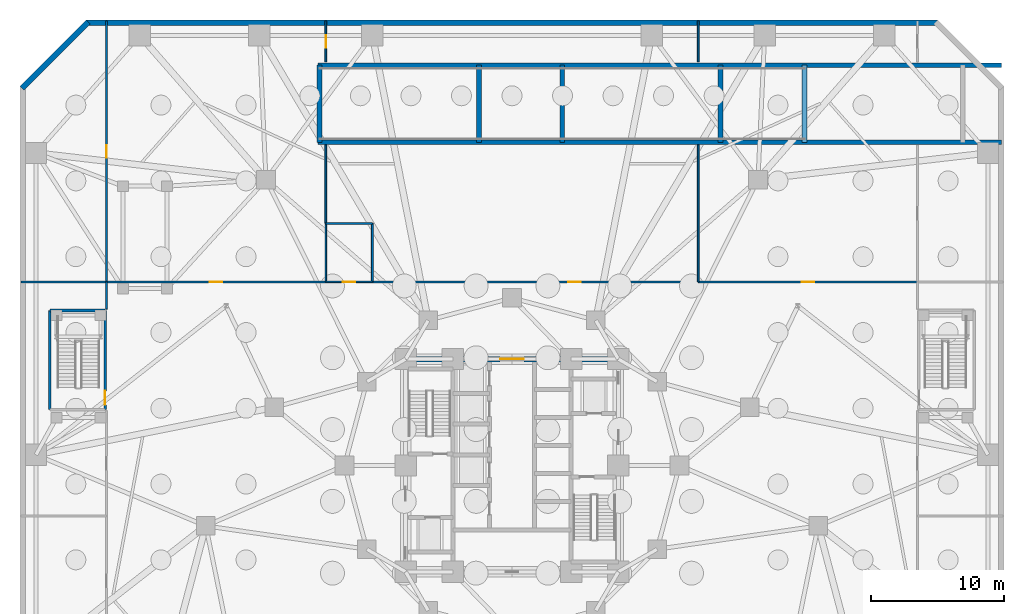
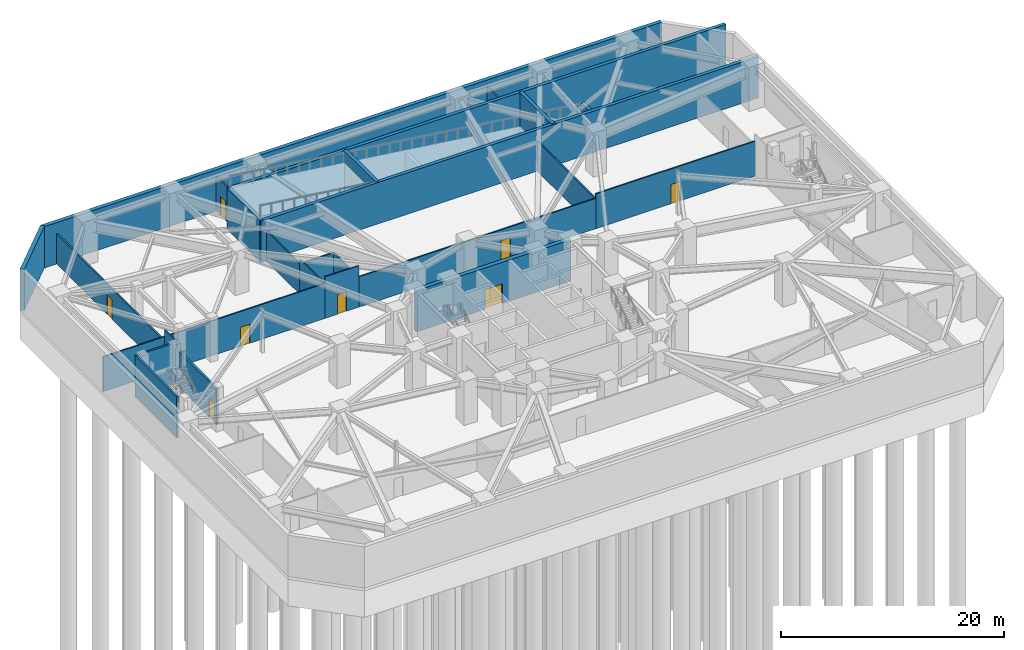
# One storey, part 14 of 20: 27 walls, 8 doors, 8 openings.
"""IFC4 building model written with IfcOpenShell, lengths in metres."""

import ifcopenshell
import ifcopenshell.guid

model = None  # the IFC model being written
_history = None  # IfcOwnerHistory: only IFC2X3 demands one
_inside = {}  # id of a spatial element -> (the spatial element, [elements in it])
_under = {}  # id of a project, library or spatial element -> (it, [spatial elements below it])
_declared = {}  # id of a project -> (the project, [libraries it declares])
_typed = {}  # id of a type object -> (the type object, [elements of that type])
_made_of = {}  # id of a material, layer set ... -> (it, [elements and type objects made of it])


def new_model(schema):
    """Start an empty IFC model of exactly this schema.

    Asked for "IFC4X3", IfcOpenShell would pick the latest addendum, in which some entities
    have other attributes; the version numbers below select the first issue.
    IFC2X3 requires an IfcOwnerHistory on every rooted entity: one is made here for all.
    """
    global model, _history
    if schema == "IFC4X3":
        model = ifcopenshell.file(schema_version=(4, 3, 0, 0))
    else:
        model = ifcopenshell.file(schema=schema)
    _inside.clear()
    _under.clear()
    _declared.clear()
    _typed.clear()
    _made_of.clear()
    _history = None
    if model.schema == "IFC2X3":
        org = make("IfcOrganization", Name="unknown")
        user = make(
            "IfcPersonAndOrganization",
            ThePerson=make("IfcPerson", FamilyName="unknown"),
            TheOrganization=org,
        )
        app = make(
            "IfcApplication",
            ApplicationDeveloper=org,
            Version="unknown",
            ApplicationFullName="unknown",
            ApplicationIdentifier="unknown",
        )
        _history = make(
            "IfcOwnerHistory",
            OwningUser=user,
            OwningApplication=app,
            ChangeAction="ADDED",
            CreationDate=0,
        )
    return model


def make(cls, **values):
    """One entity of the class cls with the attributes given. An attribute that is None is left unset."""
    return model.create_entity(
        cls, **{name: value for name, value in values.items() if value is not None}
    )


def rooted(cls, **values):
    """An entity with a GlobalId (a new one), such as an element, a storey or a relation."""
    return make(cls, GlobalId=ifcopenshell.guid.new(), OwnerHistory=_history, **values)


def si_unit(unit_type, name, prefix=None):
    """IfcSIUnit, for example si_unit("LENGTHUNIT", "METRE", prefix="MILLI")."""
    return make("IfcSIUnit", UnitType=unit_type, Prefix=prefix, Name=name)


def assignment(units):
    """IfcUnitAssignment: the units of a project."""
    return None if units is None else make("IfcUnitAssignment", Units=units)


def point(xyz):
    """IfcCartesianPoint."""
    return None if xyz is None else make("IfcCartesianPoint", Coordinates=xyz)


def direction(xyz):
    """IfcDirection."""
    return None if xyz is None else make("IfcDirection", DirectionRatios=xyz)


def frame(location, z_axis=None, x_axis=None):
    """IfcAxis2Placement3D, a coordinate frame: its origin and axes. An axis left out is left unset."""
    return make(
        "IfcAxis2Placement3D",
        Location=point(location),
        Axis=direction(z_axis),
        RefDirection=direction(x_axis),
    )


def frame_2d(location, x_axis=None):
    """IfcAxis2Placement2D, a coordinate frame in the plane: its origin and x axis."""
    return make(
        "IfcAxis2Placement2D", Location=point(location), RefDirection=direction(x_axis)
    )


def origin():
    """The frame at (0, 0, 0) with its axes left unset."""
    return frame((0.0, 0.0, 0.0))


def place(relative_to, where):
    """IfcLocalPlacement: puts the frame where relative to a parent placement (None: the world)."""
    return make(
        "IfcLocalPlacement", PlacementRelTo=relative_to, RelativePlacement=where
    )


def context(
    kind, dimensions, precision=None, world=None, true_north=None, identifier=None
):
    """IfcGeometricRepresentationContext, for example the 3D "Model" context."""
    return make(
        "IfcGeometricRepresentationContext",
        ContextIdentifier=identifier,
        ContextType=kind,
        CoordinateSpaceDimension=dimensions,
        Precision=precision,
        WorldCoordinateSystem=world,
        TrueNorth=true_north,
    )


def subcontext(parent, identifier, kind, view, scale=None):
    """IfcGeometricRepresentationSubContext, for example "Body" below "Model"."""
    return make(
        "IfcGeometricRepresentationSubContext",
        ContextIdentifier=identifier,
        ContextType=kind,
        ParentContext=parent,
        TargetScale=scale,
        TargetView=view,
    )


def project(units=None, contexts=None):
    """IfcProject with its units and contexts."""
    return rooted(
        "IfcProject",
        Name="project",
        RepresentationContexts=contexts,
        UnitsInContext=assignment(units),
    )


def spatial(cls, under=None, at=None, **own):
    """A site, building, storey or space (cls), placed at a placement, below another one or the project."""
    s = rooted(cls, ObjectPlacement=at, **own)
    if under is not None:
        _under.setdefault(under.id(), (under, []))[1].append(s)
    return s


def profile(cls, at=None, kind="AREA", **sizes):
    """A parametric profile (cls). Its sizes go by their IFC names, for example OverallWidth=200.0."""
    return make(cls, ProfileType=kind, Position=at, **sizes)


def rectangle(**sizes):
    """IfcRectangleProfileDef."""
    return profile("IfcRectangleProfileDef", **sizes)


def extrude(swept, where, along, depth):
    """IfcExtrudedAreaSolid: the profile swept, set in the frame where, extruded along a direction by depth."""
    return make(
        "IfcExtrudedAreaSolid",
        SweptArea=swept,
        Position=where,
        ExtrudedDirection=direction(along),
        Depth=depth,
    )


def shape(context_of_items, identifier, shape_type, items):
    """IfcShapeRepresentation: the items that make up one representation, for example the "Body"."""
    return make(
        "IfcShapeRepresentation",
        ContextOfItems=context_of_items,
        RepresentationIdentifier=identifier,
        RepresentationType=shape_type,
        Items=items,
    )


def material(Name=None, Category=None):
    """IfcMaterial."""
    return make("IfcMaterial", Name=Name, Category=Category)


def layer(
    of_material, thickness, ventilated=None, Name=None, Category=None, Priority=None
):
    """IfcMaterialLayer: one layer of a wall or slab, of a material (None: an air gap)."""
    return make(
        "IfcMaterialLayer",
        Material=of_material,
        LayerThickness=thickness,
        IsVentilated=ventilated,
        Name=Name,
        Category=Category,
        Priority=Priority,
    )


def layer_set(layers, Name=None):
    """IfcMaterialLayerSet."""
    return make("IfcMaterialLayerSet", MaterialLayers=layers, LayerSetName=Name)


def made_of(thing, what):
    """Note that an element or type object is made of a material, layer set ...; save() writes the relation."""
    if what is not None:
        _made_of.setdefault(what.id(), (what, []))[1].append(thing)
    return thing


def type_object(cls, material=None, **own):
    """A type object (cls), such as IfcWallType, which elements share."""
    return made_of(rooted(cls, **own), material)


def element(
    cls,
    number,
    at=None,
    inside=None,
    cuts=None,
    type_object=None,
    material=None,
    context=None,
    identifier="Body",
    shape_type=None,
    held_by="IfcProductDefinitionShape",
    body=None,
    shapes=None,
    **own,
):
    """One element of the class cls, such as IfcWall. Its Tag is "e" and its number.

    at: its placement. inside: the storey or other place that contains it. cuts: it is an
    opening in that element (IfcRelVoidsElement). A single representation is given by context,
    identifier, shape_type and body (its items); several are given by shapes. held_by: the class
    of the entity that holds the representations. save() writes the other relations.
    """
    e = rooted(cls, Tag="e%d" % number, ObjectPlacement=at, **own)
    if body is not None:
        shapes = [shape(context, identifier, shape_type, body)]
    if shapes is not None:
        e.Representation = make(held_by, Representations=shapes)
    if inside is not None:
        _inside.setdefault(inside.id(), (inside, []))[1].append(e)
    if cuts is not None:
        rooted(
            "IfcRelVoidsElement", RelatingBuildingElement=cuts, RelatedOpeningElement=e
        )
    if type_object is not None:
        _typed.setdefault(type_object.id(), (type_object, []))[1].append(e)
    return made_of(e, material)


def fill(opening, filler):
    """IfcRelFillsElement: the door or window that sits in an opening."""
    return rooted(
        "IfcRelFillsElement",
        RelatingOpeningElement=opening,
        RelatedBuildingElement=filler,
    )


def aggregate(whole, parts):
    """IfcRelAggregates: a whole, such as a stair, and the parts it consists of."""
    return rooted("IfcRelAggregates", RelatingObject=whole, RelatedObjects=parts)


def save(model, path):
    """Write the relations noted so far, then the file.

    IfcRelAggregates (storeys below a building ...), IfcRelContainedInSpatialStructure (elements
    in a storey), IfcRelDefinesByType, IfcRelAssociatesMaterial and IfcRelDeclares: one each for
    every whole, place, type object, material and project.
    """
    for whole, parts in _under.values():
        aggregate(whole, parts)
    for where, things in _inside.values():
        rooted(
            "IfcRelContainedInSpatialStructure",
            RelatedElements=things,
            RelatingStructure=where,
        )
    for kind, things in _typed.values():
        rooted("IfcRelDefinesByType", RelatedObjects=things, RelatingType=kind)
    for what, things in _made_of.values():
        rooted("IfcRelAssociatesMaterial", RelatedObjects=things, RelatingMaterial=what)
    for by, libraries in _declared.values():
        rooted("IfcRelDeclares", RelatingContext=by, RelatedDefinitions=libraries)
    model.write(path)


model = new_model("IFC4")

# Units and contexts
model_context = context("Model", 3, precision=1e-05, world=origin(), true_north=direction((0.0, 1.0)))
body_context = subcontext(model_context, "Body", "Model", "MODEL_VIEW")
ifc_project = project(units=[si_unit("LENGTHUNIT", "METRE"), si_unit("AREAUNIT", "SQUARE_METRE"), si_unit("VOLUMEUNIT", "CUBIC_METRE"), si_unit("PLANEANGLEUNIT", "RADIAN"), si_unit("MASSUNIT", "GRAM", prefix="KILO")], contexts=[model_context])

# Site, building, storey
site_placement = place(None, origin())
site = spatial("IfcSite", under=ifc_project, at=site_placement, CompositionType="ELEMENT")
building_placement = place(site_placement, origin())
building = spatial("IfcBuilding", under=site, at=building_placement, Name="Terralouvre Media Tower", CompositionType="ELEMENT")
storey_placement = place(building_placement, frame((0.0, 0.0, -9.60009765625)))
storey = spatial("IfcBuildingStorey", under=building, at=storey_placement, Name="B02", CompositionType="ELEMENT", Elevation=-9.60009765625)

# Walls
ifc_material_1 = material(Name="Concrete C50/60", Category="concrete")
ifc_layer_1 = layer(ifc_material_1, 0.39990234375, Name="Basement Perimeter Retaining Wall EW-RC400")
ifc_layer_set_1 = layer_set([ifc_layer_1], Name="Concrete C50/60")
wall_type_1 = type_object("IfcWallType", Name="Basement Perimeter Retaining Wall EW-RC400", PredefinedType="USERDEFINED", material=ifc_layer_set_1)
wall_1_placement = place(storey_placement, frame((32.0, 33.300048828125, 0.0), z_axis=(0.0, 0.0, 1.0), x_axis=(-1.0, 0.0, 0.0)))
element("IfcWall", 1, at=wall_1_placement, inside=storey, type_object=wall_type_1, Name="B02 Perimeter Retaining Wall 05", ObjectType="RETAINING", PredefinedType="USERDEFINED", context=body_context, shape_type="SweptSolid", body=[
    extrude(rectangle(XDim=64.0, YDim=0.39990234375, at=frame_2d((32.0, 0.0))), origin(), (0.0, 0.0, 1.0), 4.52001953125),
])
wall_2_placement = place(storey_placement, frame((-31.858642578125, 33.358642578125, 0.0), z_axis=(0.0, 0.0, 1.0), x_axis=(-0.707106781187, -0.707106781187, 0.0)))
element("IfcWall", 2, at=wall_2_placement, inside=storey, type_object=wall_type_1, Name="B02 Perimeter Retaining Wall 06", ObjectType="RETAINING", PredefinedType="USERDEFINED", context=body_context, shape_type="SweptSolid", body=[
    extrude(rectangle(XDim=7.071044921875, YDim=0.39990234375, at=frame_2d((3.53564453125, 0.0))), origin(), (0.0, 0.0, 1.0), 4.52001953125),
])

# Wall, opening, door
ifc_material_2 = material(Name="Concrete C60/75", Category="concrete")
ifc_layer_2 = layer(ifc_material_2, 0.419921875, Name="Core Reinforced Concrete Shear Wall CW-420")
ifc_layer_set_2 = layer_set([ifc_layer_2], Name="Concrete C60/75")
wall_type_2 = type_object("IfcWallType", Name="Core Reinforced Concrete Shear Wall CW-420", PredefinedType="SHEAR", material=ifc_layer_set_2)
wall_3_placement = place(storey_placement, frame((-8.0, 8.0, 0.0), z_axis=(0.0, 0.0, 1.0), x_axis=(1.0, 0.0, 0.0)))
wall_3 = element("IfcWall", 3, at=wall_3_placement, inside=storey, type_object=wall_type_2, Name="B02 N Core Shear Wall", PredefinedType="SHEAR", context=body_context, shape_type="SweptSolid", body=[
    extrude(rectangle(XDim=16.0, YDim=0.419921875, at=frame_2d((8.0, 0.0))), origin(), (0.0, 0.0, 1.0), 4.52001953125),
])
opening_1_placement = place(wall_3_placement, frame((7.10009765625, 0.0, 0.0)))
opening_1 = element("IfcOpeningElement", 4, at=opening_1_placement, cuts=wall_3, Name="Opening FD-03", PredefinedType="OPENING", context=body_context, shape_type="SweptSolid", body=[
    extrude(rectangle(XDim=1.800048828125, YDim=2.14990234375, at=frame_2d((0.89990234375, 1.074951171875))), frame((0.0, 0.219970703125, 0.0), z_axis=(0.0, -1.0, 0.0), x_axis=(1.0, 0.0, 0.0)), (0.0, 0.0, 1.0), 0.43994140625),
])
ifc_material_3 = material(Name="Galvanised steel fire-resisting leaf", Category="steel")
door_type_1 = type_object("IfcDoorType", Name="Corridor Smoke-Control Double Door FD-03", OperationType="DOUBLE_DOOR_SINGLE_SWING", PredefinedType="DOOR", material=ifc_material_3)
door_1_placement = place(opening_1_placement, origin())
door_1 = element("IfcDoor", 5, at=door_1_placement, inside=storey, type_object=door_type_1, Name="B02 Central Lift Lobby Portal Door", OperationType="DOUBLE_DOOR_SINGLE_SWING", OverallHeight=2.14990234375, OverallWidth=1.800048828125, PredefinedType="DOOR", context=body_context, shape_type="SweptSolid", body=[
    extrude(rectangle(XDim=1.800048828125, YDim=2.14990234375, at=frame_2d((0.89990234375, 1.074951171875))), frame((0.0, 0.02490234375, 0.0), z_axis=(0.0, -1.0, 0.0), x_axis=(1.0, 0.0, 0.0)), (0.0, 0.0, 1.0), 0.050048828125),
])
fill(opening_1, door_1)

ifc_material_4 = material(Name="Fire-rated gypsum board drywall partition")
ifc_layer_3 = layer(ifc_material_4, 0.199951171875, Name="Fire-Rated Shaft and Lobby Partition FW-200")
ifc_layer_set_3 = layer_set([ifc_layer_3], Name="Fire-rated gypsum board drywall partition")
wall_type_3 = type_object("IfcWallType", Name="Fire-Rated Shaft and Lobby Partition FW-200", PredefinedType="SOLIDWALL", material=ifc_layer_set_3)
wall_4_placement = place(storey_placement, frame((-30.60009765625, 4.199951171875, 0.0), z_axis=(0.0, 0.0, 1.0), x_axis=(0.0, 1.0, 0.0)))
wall_4 = element("IfcWall", 6, at=wall_4_placement, inside=storey, type_object=wall_type_3, Name="B02 ST03 Stair Shaft Wall E", PredefinedType="SOLIDWALL", context=body_context, shape_type="SweptSolid", body=[
    extrude(rectangle(XDim=7.449951171875, YDim=0.199951171875, at=frame_2d((3.72509765625, 0.0))), origin(), (0.0, 0.0, 1.0), 3.905029296875),
])
opening_2_placement = place(wall_4_placement, frame((0.360107421875, 0.0, 0.0)))
opening_2 = element("IfcOpeningElement", 7, at=opening_2_placement, cuts=wall_4, Name="Opening FD-01-105X215", PredefinedType="OPENING", context=body_context, shape_type="SweptSolid", body=[
    extrude(rectangle(XDim=1.050048828125, YDim=2.14990234375, at=frame_2d((0.52490234375, 1.074951171875))), frame((0.0, 0.10986328125, 0.0), z_axis=(0.0, -1.0, 0.0), x_axis=(1.0, 0.0, 0.0)), (0.0, 0.0, 1.0), 0.219970703125),
])
ifc_material_5 = material(Name="Galvanised steel fire-resisting leaf", Category="steel")
door_type_2 = type_object("IfcDoorType", Name="Stair and Firefighting Lobby Fire Door FD-01 (1050x2150)", OperationType="NOTDEFINED", PredefinedType="DOOR", material=ifc_material_5)
door_2_placement = place(opening_2_placement, origin())
door_2 = element("IfcDoor", 8, at=door_2_placement, inside=storey, type_object=door_type_2, Name="B02 ST03 Pressurised Stair Door", OperationType="SINGLE_SWING_RIGHT", OverallHeight=2.14990234375, OverallWidth=1.050048828125, PredefinedType="DOOR", context=body_context, shape_type="SweptSolid", body=[
    extrude(rectangle(XDim=1.050048828125, YDim=2.14990234375, at=frame_2d((0.52490234375, 1.074951171875))), frame((0.0, 0.02490234375, 0.0), z_axis=(0.0, -1.0, 0.0), x_axis=(1.0, 0.0, 0.0)), (0.0, 0.0, 1.0), 0.050048828125),
])
fill(opening_2, door_2)

# Walls
wall_5_placement = place(storey_placement, frame((-30.60009765625, 11.64990234375, 0.0), z_axis=(0.0, 0.0, 1.0), x_axis=(-1.0, 0.0, 0.0)))
element("IfcWall", 9, at=wall_5_placement, inside=storey, type_object=wall_type_3, Name="B02 ST03 Stair Shaft Wall N", PredefinedType="SOLIDWALL", context=body_context, shape_type="SweptSolid", body=[
    extrude(rectangle(XDim=4.14990234375, YDim=0.199951171875, at=frame_2d((2.074951171875, 0.0))), origin(), (0.0, 0.0, 1.0), 4.52001953125),
])
wall_6_placement = place(storey_placement, frame((-34.75, 11.64990234375, 0.0), z_axis=(0.0, 0.0, 1.0), x_axis=(0.0, -1.0, 0.0)))
element("IfcWall", 10, at=wall_6_placement, inside=storey, type_object=wall_type_3, Name="B02 ST03 Stair Shaft Wall W", PredefinedType="SOLIDWALL", context=body_context, shape_type="SweptSolid", body=[
    extrude(rectangle(XDim=7.449951171875, YDim=0.199951171875, at=frame_2d((3.72509765625, 0.0))), origin(), (0.0, 0.0, 1.0), 4.52001953125),
])

# Wall, opening, door
ifc_material_6 = material(Name="Fire-rated gypsum board drywall partition")
ifc_layer_4 = layer(ifc_material_6, 0.135009765625, Name="Newsroom Acoustic Partition PT-135")
ifc_layer_set_4 = layer_set([ifc_layer_4], Name="Fire-rated gypsum board drywall partition")
wall_type_4 = type_object("IfcWallType", Name="Newsroom Acoustic Partition PT-135", PredefinedType="PARTITIONING", material=ifc_layer_set_4)
wall_7_placement = place(storey_placement, frame((30.5, 13.800048828125, 0.0), z_axis=(0.0, 0.0, 1.0), x_axis=(-1.0, 0.0, 0.0)))
wall_7 = element("IfcWall", 11, at=wall_7_placement, inside=storey, type_object=wall_type_4, Name="B02 Interior Partition 008", PredefinedType="PARTITIONING", context=body_context, shape_type="SweptSolid", body=[
    extrude(rectangle(XDim=16.5, YDim=0.135009765625, at=frame_2d((8.25, 0.0))), origin(), (0.0, 0.0, 1.0), 3.80517578125),
])
opening_3_placement = place(wall_7_placement, frame((7.77490234375, 0.0, 0.0)))
opening_3 = element("IfcOpeningElement", 12, at=opening_3_placement, cuts=wall_7, Name="Opening ID-02-95X210", PredefinedType="OPENING", context=body_context, shape_type="SweptSolid", body=[
    extrude(rectangle(XDim=0.949951171875, YDim=2.10009765625, at=frame_2d((0.47509765625, 1.050048828125))), frame((0.0, 0.077392578125, 0.0), z_axis=(0.0, -1.0, 0.0), x_axis=(1.0, 0.0, 0.0)), (0.0, 0.0, 1.0), 0.155029296875),
])
ifc_material_7 = material(Name="Engineered hardwood acoustic timber leaf", Category="wood")
door_type_3 = type_object("IfcDoorType", Name="Office and Meeting Room Door ID-02 (950x2100)", OperationType="NOTDEFINED", PredefinedType="DOOR", material=ifc_material_7)
door_3_placement = place(opening_3_placement, origin())
door_3 = element("IfcDoor", 13, at=door_3_placement, inside=storey, type_object=door_type_3, Name="B02 B02 Segregated Refuse and Recycling Store Door", OperationType="SINGLE_SWING_RIGHT", OverallHeight=2.10009765625, OverallWidth=0.949951171875, PredefinedType="DOOR", context=body_context, shape_type="SweptSolid", body=[
    extrude(rectangle(XDim=0.949951171875, YDim=2.10009765625, at=frame_2d((0.47509765625, 1.050048828125))), frame((0.0, 0.02490234375, 0.0), z_axis=(0.0, -1.0, 0.0), x_axis=(1.0, 0.0, 0.0)), (0.0, 0.0, 1.0), 0.050048828125),
])
fill(opening_3, door_3)

wall_8_placement = place(storey_placement, frame((14.0, 13.800048828125, 0.0), z_axis=(0.0, 0.0, 1.0), x_axis=(-1.0, 0.0, 0.0)))
wall_8 = element("IfcWall", 14, at=wall_8_placement, inside=storey, type_object=wall_type_4, Name="B02 Interior Partition 009", PredefinedType="PARTITIONING", context=body_context, shape_type="SweptSolid", body=[
    extrude(rectangle(XDim=24.5, YDim=0.135009765625, at=frame_2d((12.25, 0.0))), origin(), (0.0, 0.0, 1.0), 3.30517578125),
])
opening_4_placement = place(wall_8_placement, frame((8.8349609375, 0.0, 0.0)))
opening_4 = element("IfcOpeningElement", 15, at=opening_4_placement, cuts=wall_8, Name="Opening ID-02-95X210", PredefinedType="OPENING", context=body_context, shape_type="SweptSolid", body=[
    extrude(rectangle(XDim=0.949951171875, YDim=2.10009765625, at=frame_2d((0.47509765625, 1.050048828125))), frame((0.0, 0.077392578125, 0.0), z_axis=(0.0, -1.0, 0.0), x_axis=(1.0, 0.0, 0.0)), (0.0, 0.0, 1.0), 0.155029296875),
])
door_4_placement = place(opening_4_placement, origin())
door_4 = element("IfcDoor", 16, at=door_4_placement, inside=storey, type_object=door_type_3, Name="B02 B02 Basement Technical Equipment Store 12 Door", OperationType="SINGLE_SWING_LEFT", OverallHeight=2.10009765625, OverallWidth=0.949951171875, PredefinedType="DOOR", context=body_context, shape_type="SweptSolid", body=[
    extrude(rectangle(XDim=0.949951171875, YDim=2.10009765625, at=frame_2d((0.47509765625, 1.050048828125))), frame((0.0, 0.02490234375, 0.0), z_axis=(0.0, -1.0, 0.0), x_axis=(1.0, 0.0, 0.0)), (0.0, 0.0, 1.0), 0.050048828125),
])
fill(opening_4, door_4)

wall_9_placement = place(storey_placement, frame((-14.0, 13.800048828125, 0.0), z_axis=(0.0, 0.0, 1.0), x_axis=(-1.0, 0.0, 0.0)))
wall_9 = element("IfcWall", 17, at=wall_9_placement, inside=storey, type_object=wall_type_4, Name="B02 Interior Partition 011", PredefinedType="PARTITIONING", context=body_context, shape_type="SweptSolid", body=[
    extrude(rectangle(XDim=16.5, YDim=0.135009765625, at=frame_2d((8.25, 0.0))), origin(), (0.0, 0.0, 1.0), 3.80517578125),
])
opening_5_placement = place(wall_9_placement, frame((7.77490234375, 0.0, 0.0)))
opening_5 = element("IfcOpeningElement", 18, at=opening_5_placement, cuts=wall_9, Name="Opening ID-02-95X210", PredefinedType="OPENING", context=body_context, shape_type="SweptSolid", body=[
    extrude(rectangle(XDim=0.949951171875, YDim=2.10009765625, at=frame_2d((0.47509765625, 1.050048828125))), frame((0.0, 0.077392578125, 0.0), z_axis=(0.0, -1.0, 0.0), x_axis=(1.0, 0.0, 0.0)), (0.0, 0.0, 1.0), 0.155029296875),
])
door_5_placement = place(opening_5_placement, origin())
door_5 = element("IfcDoor", 19, at=door_5_placement, inside=storey, type_object=door_type_3, Name="B02 B02 Staff Secure Bicycle Parking Store Door", OperationType="SINGLE_SWING_LEFT", OverallHeight=2.10009765625, OverallWidth=0.949951171875, PredefinedType="DOOR", context=body_context, shape_type="SweptSolid", body=[
    extrude(rectangle(XDim=0.949951171875, YDim=2.10009765625, at=frame_2d((0.47509765625, 1.050048828125))), frame((0.0, 0.02490234375, 0.0), z_axis=(0.0, -1.0, 0.0), x_axis=(1.0, 0.0, 0.0)), (0.0, 0.0, 1.0), 0.050048828125),
])
fill(opening_5, door_5)

# Walls
wall_10_placement = place(storey_placement, frame((-30.5, 13.800048828125, 0.0), z_axis=(0.0, 0.0, 1.0), x_axis=(0.0, -1.0, 0.0)))
element("IfcWall", 20, at=wall_10_placement, inside=storey, type_object=wall_type_4, Name="B02 Interior Partition 013", PredefinedType="PARTITIONING", context=body_context, shape_type="SweptSolid", body=[
    extrude(rectangle(XDim=2.050048828125, YDim=0.135009765625, at=frame_2d((1.02490234375, 0.0))), origin(), (0.0, 0.0, 1.0), 4.52001953125),
])
wall_11_placement = place(storey_placement, frame((14.0, 24.10009765625, 0.0), z_axis=(0.0, 0.0, 1.0), x_axis=(0.0, -1.0, 0.0)))
element("IfcWall", 21, at=wall_11_placement, inside=storey, type_object=wall_type_4, Name="B02 Interior Partition 025", PredefinedType="PARTITIONING", context=body_context, shape_type="SweptSolid", body=[
    extrude(rectangle(XDim=10.300048828125, YDim=0.135009765625, at=frame_2d((5.14990234375, 0.0))), origin(), (0.0, 0.0, 1.0), 3.30517578125),
])
wall_12_placement = place(storey_placement, frame((14.0, 33.419921875, 0.0), z_axis=(0.0, 0.0, 1.0), x_axis=(0.0, -1.0, 0.0)))
element("IfcWall", 22, at=wall_12_placement, inside=storey, type_object=wall_type_4, Name="B02 Interior Partition 026", PredefinedType="PARTITIONING", context=body_context, shape_type="SweptSolid", body=[
    extrude(rectangle(XDim=3.06982421875, YDim=0.135009765625, at=frame_2d((1.534912109375, 0.0))), origin(), (0.0, 0.0, 1.0), 3.80517578125),
])
wall_13_placement = place(storey_placement, frame((-14.0, 18.199951171875, 0.0), z_axis=(0.0, 0.0, 1.0), x_axis=(1.0, 0.0, 0.0)))
element("IfcWall", 23, at=wall_13_placement, inside=storey, type_object=wall_type_4, Name="B02 Interior Partition 027", PredefinedType="PARTITIONING", context=body_context, shape_type="SweptSolid", body=[
    extrude(rectangle(XDim=3.5, YDim=0.135009765625, at=frame_2d((1.75, 0.0))), origin(), (0.0, 0.0, 1.0), 3.30517578125),
])
wall_14_placement = place(storey_placement, frame((-10.5, 18.199951171875, 0.0), z_axis=(0.0, 0.0, 1.0), x_axis=(0.0, -1.0, 0.0)))
element("IfcWall", 24, at=wall_14_placement, inside=storey, type_object=wall_type_4, Name="B02 Interior Partition 028", PredefinedType="PARTITIONING", context=body_context, shape_type="SweptSolid", body=[
    extrude(rectangle(XDim=4.39990234375, YDim=0.135009765625, at=frame_2d((2.199951171875, 0.0))), origin(), (0.0, 0.0, 1.0), 3.30517578125),
])
wall_15_placement = place(storey_placement, frame((-14.0, 24.10009765625, 0.0), z_axis=(0.0, 0.0, 1.0), x_axis=(0.0, -1.0, 0.0)))
element("IfcWall", 25, at=wall_15_placement, inside=storey, type_object=wall_type_4, Name="B02 Interior Partition 029", PredefinedType="PARTITIONING", context=body_context, shape_type="SweptSolid", body=[
    extrude(rectangle(XDim=5.900146484375, YDim=0.135009765625, at=frame_2d((2.9501953125, 0.0))), origin(), (0.0, 0.0, 1.0), 3.30517578125),
])

# Wall, opening, door
wall_16_placement = place(storey_placement, frame((-14.0, 33.419921875, 0.0), z_axis=(0.0, 0.0, 1.0), x_axis=(0.0, -1.0, 0.0)))
wall_16 = element("IfcWall", 26, at=wall_16_placement, inside=storey, type_object=wall_type_4, Name="B02 Interior Partition 030", PredefinedType="PARTITIONING", context=body_context, shape_type="SweptSolid", body=[
    extrude(rectangle(XDim=3.06982421875, YDim=0.135009765625, at=frame_2d((1.534912109375, 0.0))), origin(), (0.0, 0.0, 1.0), 3.80517578125),
])
opening_6_placement = place(wall_16_placement, frame((1.074951171875, 0.0, 0.0)))
opening_6 = element("IfcOpeningElement", 27, at=opening_6_placement, cuts=wall_16, Name="Opening ID-03-92X210", PredefinedType="OPENING", context=body_context, shape_type="SweptSolid", body=[
    extrude(rectangle(XDim=0.919921875, YDim=2.10009765625, at=frame_2d((0.4599609375, 1.050048828125))), frame((0.0, 0.077392578125, 0.0), z_axis=(0.0, -1.0, 0.0), x_axis=(1.0, 0.0, 0.0)), (0.0, 0.0, 1.0), 0.155029296875),
])
ifc_material_8 = material(Name="Engineered hardwood acoustic timber leaf", Category="wood")
door_type_4 = type_object("IfcDoorType", Name="Accessible Restroom and Suite Door ID-03 (920x2100)", OperationType="NOTDEFINED", PredefinedType="DOOR", material=ifc_material_8)
door_6_placement = place(opening_6_placement, origin())
door_6 = element("IfcDoor", 28, at=door_6_placement, inside=storey, type_object=door_type_4, Name="B02 B02 Basement Technical Equipment Store 14 Door", OperationType="SINGLE_SWING_RIGHT", OverallHeight=2.10009765625, OverallWidth=0.919921875, PredefinedType="DOOR", context=body_context, shape_type="SweptSolid", body=[
    extrude(rectangle(XDim=0.919921875, YDim=2.10009765625, at=frame_2d((0.4599609375, 1.050048828125))), frame((0.0, 0.02490234375, 0.0), z_axis=(0.0, -1.0, 0.0), x_axis=(1.0, 0.0, 0.0)), (0.0, 0.0, 1.0), 0.050048828125),
])
fill(opening_6, door_6)

wall_17_placement = place(storey_placement, frame((-30.5, 33.419921875, 0.0), z_axis=(0.0, 0.0, 1.0), x_axis=(0.0, -1.0, 0.0)))
wall_17 = element("IfcWall", 29, at=wall_17_placement, inside=storey, type_object=wall_type_4, Name="B02 Interior Partition 032", PredefinedType="PARTITIONING", context=body_context, shape_type="SweptSolid", body=[
    extrude(rectangle(XDim=19.619873046875, YDim=0.135009765625, at=frame_2d((9.81005859375, 0.0))), origin(), (0.0, 0.0, 1.0), 3.30517578125),
])
opening_7_placement = place(wall_17_placement, frame((9.35009765625, 0.0, 0.0)))
opening_7 = element("IfcOpeningElement", 30, at=opening_7_placement, cuts=wall_17, Name="Opening ID-03-92X210", PredefinedType="OPENING", context=body_context, shape_type="SweptSolid", body=[
    extrude(rectangle(XDim=0.919921875, YDim=2.10009765625, at=frame_2d((0.4599609375, 1.050048828125))), frame((0.0, 0.077392578125, 0.0), z_axis=(0.0, -1.0, 0.0), x_axis=(1.0, 0.0, 0.0)), (0.0, 0.0, 1.0), 0.155029296875),
])
door_7_placement = place(opening_7_placement, origin())
door_7 = element("IfcDoor", 31, at=door_7_placement, inside=storey, type_object=door_type_4, Name="B02 B02 Staff Secure Bicycle Parking Store Door", OperationType="SINGLE_SWING_LEFT", OverallHeight=2.10009765625, OverallWidth=0.919921875, PredefinedType="DOOR", context=body_context, shape_type="SweptSolid", body=[
    extrude(rectangle(XDim=0.919921875, YDim=2.10009765625, at=frame_2d((0.4599609375, 1.050048828125))), frame((0.0, 0.02490234375, 0.0), z_axis=(0.0, -1.0, 0.0), x_axis=(1.0, 0.0, 0.0)), (0.0, 0.0, 1.0), 0.050048828125),
])
fill(opening_7, door_7)

# Walls
wall_18_placement = place(storey_placement, frame((-36.919921875, 13.800048828125, 0.0), z_axis=(0.0, 0.0, 1.0), x_axis=(1.0, 0.0, 0.0)))
element("IfcWall", 32, at=wall_18_placement, inside=storey, type_object=wall_type_4, Name="B02 Interior Partition 033", PredefinedType="PARTITIONING", context=body_context, shape_type="SweptSolid", body=[
    extrude(rectangle(XDim=6.419921875, YDim=0.135009765625, at=frame_2d((3.2099609375, 0.0))), origin(), (0.0, 0.0, 1.0), 3.80517578125),
])
ifc_material_9 = material(Name="Concrete C50/60", Category="concrete")
ifc_layer_5 = layer(ifc_material_9, 0.35009765625, Name="Ramp Support Shear Wall RW-350")
ifc_layer_set_5 = layer_set([ifc_layer_5], Name="Concrete C50/60")
wall_type_5 = type_object("IfcWallType", Name="Ramp Support Shear Wall RW-350", PredefinedType="SHEAR", material=ifc_layer_set_5)
for number, where, z_axis, x_axis, name in (
    (33, (-14.60009765625, 24.300048828125, 0.0), (0.0, 0.0, 1.0), (1.0, 0.0, 0.0), "B02 Vehicle Ramp South Support Wall"),
    (34, (-14.60009765625, 30.10009765625, 0.0), (0.0, 0.0, 1.0), (1.0, 0.0, 0.0), "B02 Vehicle Ramp North Support Wall"),
):
    element("IfcWall", number, at=place(storey_placement, frame(where, z_axis=z_axis, x_axis=x_axis)), inside=storey, type_object=wall_type_5, Name=name, PredefinedType="SHEAR", context=body_context, shape_type="SweptSolid", body=[
        extrude(rectangle(XDim=51.400146484375, YDim=0.35009765625, at=frame_2d((25.7001953125, 0.0))), origin(), (0.0, 0.0, 1.0), 4.52001953125),
    ])
wall_19_placement = place(storey_placement, frame((-14.47998046875, 24.300048828125, 0.0), z_axis=(0.0, 0.0, 1.0), x_axis=(0.0, 1.0, 0.0)))
element("IfcWall", 35, at=wall_19_placement, inside=storey, type_object=wall_type_5, Name="B02 Vehicle Ramp Arrival Header Support Wall", PredefinedType="SHEAR", context=body_context, shape_type="SweptSolid", body=[
    extrude(rectangle(XDim=5.800048828125, YDim=0.35009765625, at=frame_2d((2.89990234375, 0.0))), origin(), (0.0, 0.0, 1.0), 4.52001953125),
])
wall_20_placement = place(storey_placement, frame((22.0, 24.300048828125, 0.0), z_axis=(0.0, 0.0, 1.0), x_axis=(0.0, 1.0, 0.0)))
element("IfcWall", 36, at=wall_20_placement, inside=storey, type_object=wall_type_5, Name="B02 Vehicle Ramp Foot Bearing Wall", PredefinedType="SHEAR", context=body_context, shape_type="SweptSolid", body=[
    extrude(rectangle(XDim=5.800048828125, YDim=0.35009765625, at=frame_2d((2.89990234375, 0.0))), origin(), (0.0, 0.0, 1.0), 1.2001953125),
])
wall_21_placement = place(storey_placement, frame((-2.47998046875, 24.300048828125, 0.0), z_axis=(0.0, 0.0, 1.0), x_axis=(0.0, 1.0, 0.0)))
element("IfcWall", 37, at=wall_21_placement, inside=storey, type_object=wall_type_5, Name="B02 Upper Ramp Foot Foundation Wall", PredefinedType="SHEAR", context=body_context, shape_type="SweptSolid", body=[
    extrude(rectangle(XDim=5.800048828125, YDim=0.35009765625, at=frame_2d((2.89990234375, 0.0))), origin(), (0.0, 0.0, 1.0), 4.52001953125),
])
wall_22_placement = place(storey_placement, frame((3.780029296875, 24.300048828125, 0.0), z_axis=(0.0, 0.0, 1.0), x_axis=(0.0, 1.0, 0.0)))
element("IfcWall", 38, at=wall_22_placement, inside=storey, type_object=wall_type_5, Name="B02 Vehicle Ramp Mid-Span Bearing Wall", PredefinedType="SHEAR", context=body_context, shape_type="SweptSolid", body=[
    extrude(rectangle(XDim=5.800048828125, YDim=0.35009765625, at=frame_2d((2.89990234375, 0.0))), origin(), (0.0, 0.0, 1.0), 2.10009765625),
])
wall_23_placement = place(storey_placement, frame((15.679931640625, 24.300048828125, 0.0), z_axis=(0.0, 0.0, 1.0), x_axis=(0.0, 1.0, 0.0)))
element("IfcWall", 39, at=wall_23_placement, inside=storey, type_object=wall_type_5, Name="B02 Upper Ramp Mid Foundation Wall", PredefinedType="SHEAR", context=body_context, shape_type="SweptSolid", body=[
    extrude(rectangle(XDim=5.800048828125, YDim=0.35009765625, at=frame_2d((2.89990234375, 0.0))), origin(), (0.0, 0.0, 1.0), 4.52001953125),
])

# Wall, opening, door
ifc_material_10 = material(Name="Fire-rated gypsum board drywall partition")
ifc_layer_6 = layer(ifc_material_10, 0.114990234375, Name="Restroom and Pantry Partition PT-115")
ifc_layer_set_6 = layer_set([ifc_layer_6], Name="Fire-rated gypsum board drywall partition")
wall_type_6 = type_object("IfcWallType", Name="Restroom and Pantry Partition PT-115", PredefinedType="PARTITIONING", material=ifc_layer_set_6)
wall_24_placement = place(storey_placement, frame((-10.5, 13.800048828125, 0.0), z_axis=(0.0, 0.0, 1.0), x_axis=(-1.0, 0.0, 0.0)))
wall_24 = element("IfcWall", 40, at=wall_24_placement, inside=storey, type_object=wall_type_6, Name="B02 Interior Partition 010", PredefinedType="PARTITIONING", context=body_context, shape_type="SweptSolid", body=[
    extrude(rectangle(XDim=3.5, YDim=0.114990234375, at=frame_2d((1.75, 0.0))), origin(), (0.0, 0.0, 1.0), 4.52001953125),
])
opening_8_placement = place(wall_24_placement, frame((1.2900390625, 0.0, 0.0)))
opening_8 = element("IfcOpeningElement", 41, at=opening_8_placement, cuts=wall_24, Name="Opening ID-03-92X210", PredefinedType="OPENING", context=body_context, shape_type="SweptSolid", body=[
    extrude(rectangle(XDim=0.919921875, YDim=2.10009765625, at=frame_2d((0.4599609375, 1.050048828125))), frame((0.0, 0.0673828125, 0.0), z_axis=(0.0, -1.0, 0.0), x_axis=(1.0, 0.0, 0.0)), (0.0, 0.0, 1.0), 0.135009765625),
])
door_8_placement = place(opening_8_placement, origin())
door_8 = element("IfcDoor", 42, at=door_8_placement, inside=storey, type_object=door_type_4, Name="B02 B02 Basement Accessible Unisex WC Door", OperationType="SINGLE_SWING_RIGHT", OverallHeight=2.10009765625, OverallWidth=0.919921875, PredefinedType="DOOR", context=body_context, shape_type="SweptSolid", body=[
    extrude(rectangle(XDim=0.919921875, YDim=2.10009765625, at=frame_2d((0.4599609375, 1.050048828125))), frame((0.0, 0.02490234375, 0.0), z_axis=(0.0, -1.0, 0.0), x_axis=(1.0, 0.0, 0.0)), (0.0, 0.0, 1.0), 0.050048828125),
])
fill(opening_8, door_8)

# Wall
wall_25_placement = place(storey_placement, frame((-14.0, 18.199951171875, 0.0), z_axis=(0.0, 0.0, 1.0), x_axis=(0.0, -1.0, 0.0)))
element("IfcWall", 43, at=wall_25_placement, inside=storey, type_object=wall_type_6, Name="B02 Interior Partition 031", PredefinedType="PARTITIONING", context=body_context, shape_type="SweptSolid", body=[
    extrude(rectangle(XDim=4.39990234375, YDim=0.114990234375, at=frame_2d((2.199951171875, 0.0))), origin(), (0.0, 0.0, 1.0), 3.80517578125),
])

save(model, "model.ifc")
